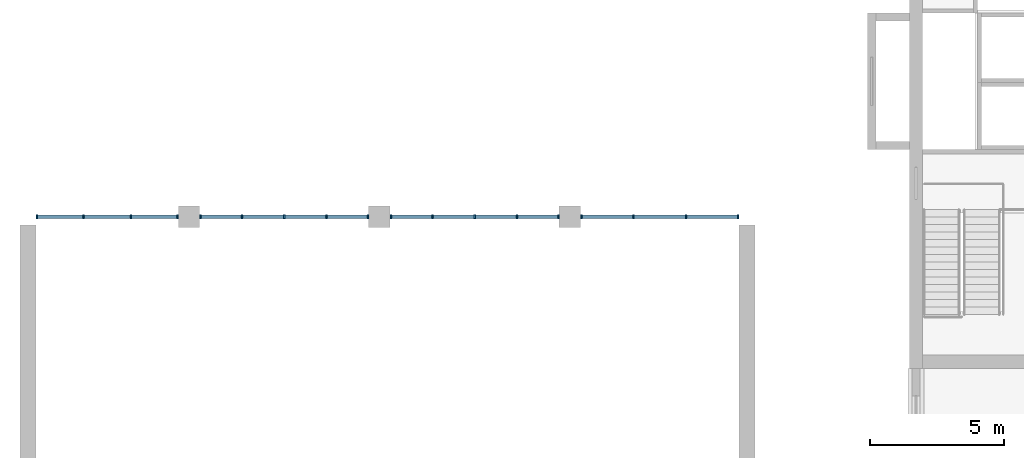
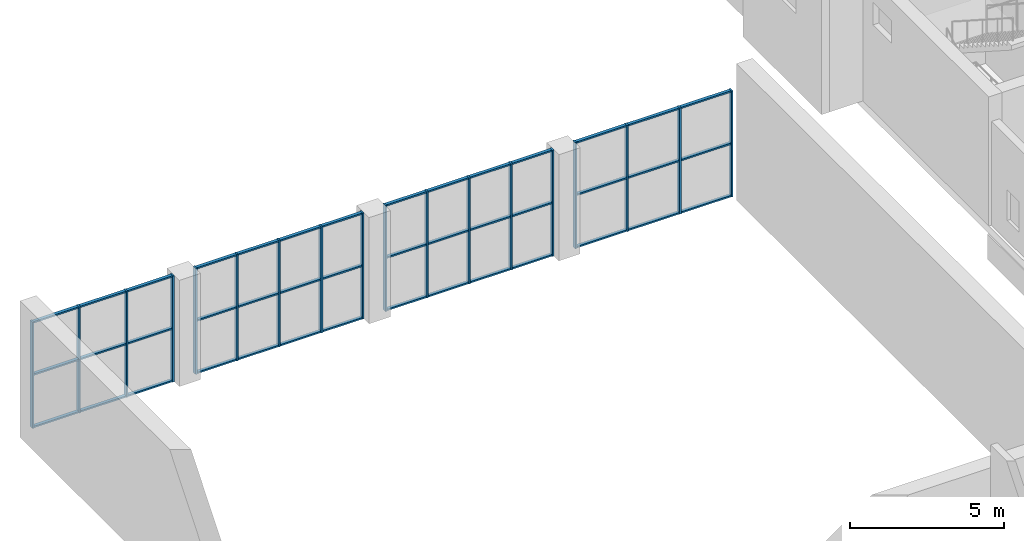
# One storey, part 4 of 33: 60 members, 4 elements without a shape of their own.
"""IFC4 building model written with IfcOpenShell, lengths in metres."""

from ifc_helpers import new_model, si_unit, direction, frame, origin, origin_2d, place, context, subcontext, project, spatial, rectangle, extrude, material, layer, layer_set, material_profile, profile_set, type_object, element, aggregate, save


model = new_model("IFC4")

# Units and contexts
model_context = context("Model", 3, precision=1e-05, world=origin(), true_north=direction((0.0, 1.0)))
body_context = subcontext(model_context, "Body", "Model", "MODEL_VIEW")
ifc_project = project(units=[si_unit("LENGTHUNIT", "METRE"), si_unit("AREAUNIT", "SQUARE_METRE"), si_unit("VOLUMEUNIT", "CUBIC_METRE"), si_unit("PLANEANGLEUNIT", "RADIAN"), si_unit("MASSUNIT", "GRAM", prefix="KILO")], contexts=[model_context])

# Site, building, storey
site_placement = place(None, origin())
site = spatial("IfcSite", under=ifc_project, at=site_placement, CompositionType="ELEMENT")
building_placement = place(site_placement, origin())
building = spatial("IfcBuilding", under=site, at=building_placement, Name="Basin Gate Institute", CompositionType="ELEMENT")
storey_placement = place(building_placement, frame((0.0, 0.0, 6.0)))
storey = spatial("IfcBuildingStorey", under=building, at=storey_placement, Name="L01", CompositionType="ELEMENT", Elevation=6.0)

# Curtain wall, members
ifc_material_1 = material(Name="Aluminium and glass curtain wall", Category="aluminium")
ifc_layer = layer(ifc_material_1, 0.14990234375)
ifc_layer_set = layer_set([ifc_layer], Name="Atrium curtain wall CW81")
curtain_wall_type = type_object("IfcCurtainWallType", Name="Atrium curtain wall CW81", PredefinedType="NOTDEFINED", material=ifc_layer_set)
curtain_wall_1_placement = place(storey_placement, origin())
curtain_wall_1 = element("IfcCurtainWall", 1, at=curtain_wall_1_placement, inside=storey, type_object=curtain_wall_type, material=ifc_layer_set, Name="Theatre clerestory glazing 1", PredefinedType="NOTDEFINED")
ifc_material_2 = material(Name="Aluminium mullion", Category="aluminium")
ifc_material_profile_1 = material_profile(ifc_material_2, rectangle(XDim=0.159912109375, YDim=0.06005859375, at=origin_2d()), Name="Atrium mullion MU81 160 x 60")
ifc_profile_set_1 = profile_set([ifc_material_profile_1], Name="Aluminium mullion")
member_type_1 = type_object("IfcMemberType", Name="Atrium mullion MU81", PredefinedType="MULLION", material=ifc_profile_set_1)
member_1_placement = place(storey_placement, frame((28.429931640625, 65.699951171875, 0.0), z_axis=(0.0, 0.0, 1.0), x_axis=(0.0, 1.0, 0.0)))
member_1 = element("IfcMember", 2, at=member_1_placement, type_object=member_type_1, material=ifc_profile_set_1, Name="CW81 mullion 1", PredefinedType="MULLION", context=body_context, shape_type="SweptSolid", body=[
    extrude(rectangle(XDim=0.159912109375, YDim=0.06005859375, at=origin_2d()), origin(), (0.0, 0.0, 1.0), 4.199951171875),
])
member_2_placement = place(storey_placement, frame((30.166748046875, 65.699951171875, 0.0), z_axis=(0.0, 0.0, 1.0), x_axis=(0.0, 1.0, 0.0)))
member_2 = element("IfcMember", 3, at=member_2_placement, type_object=member_type_1, material=ifc_profile_set_1, Name="CW81 mullion 2", PredefinedType="MULLION", context=body_context, shape_type="SweptSolid", body=[
    extrude(rectangle(XDim=0.159912109375, YDim=0.06005859375, at=origin_2d()), origin(), (0.0, 0.0, 1.0), 4.199951171875),
])
member_3_placement = place(storey_placement, frame((31.933349609375, 65.699951171875, 0.0), z_axis=(0.0, 0.0, 1.0), x_axis=(0.0, 1.0, 0.0)))
member_3 = element("IfcMember", 4, at=member_3_placement, type_object=member_type_1, material=ifc_profile_set_1, Name="CW81 mullion 3", PredefinedType="MULLION", context=body_context, shape_type="SweptSolid", body=[
    extrude(rectangle(XDim=0.159912109375, YDim=0.06005859375, at=origin_2d()), origin(), (0.0, 0.0, 1.0), 4.199951171875),
])
member_4_placement = place(storey_placement, frame((33.669921875, 65.699951171875, 0.0), z_axis=(0.0, 0.0, 1.0), x_axis=(0.0, 1.0, 0.0)))
member_4 = element("IfcMember", 5, at=member_4_placement, type_object=member_type_1, material=ifc_profile_set_1, Name="CW81 mullion 4", PredefinedType="MULLION", context=body_context, shape_type="SweptSolid", body=[
    extrude(rectangle(XDim=0.159912109375, YDim=0.06005859375, at=origin_2d()), origin(), (0.0, 0.0, 1.0), 4.199951171875),
])

curtain_wall_2_placement = place(storey_placement, origin())
curtain_wall_2 = element("IfcCurtainWall", 6, at=curtain_wall_2_placement, inside=storey, type_object=curtain_wall_type, material=ifc_layer_set, Name="Theatre clerestory glazing 2", PredefinedType="NOTDEFINED")
member_5_placement = place(storey_placement, frame((34.530029296875, 65.699951171875, 0.0), z_axis=(0.0, 0.0, 1.0), x_axis=(0.0, 1.0, 0.0)))
member_5 = element("IfcMember", 7, at=member_5_placement, type_object=member_type_1, material=ifc_profile_set_1, Name="CW81 mullion 1", PredefinedType="MULLION", context=body_context, shape_type="SweptSolid", body=[
    extrude(rectangle(XDim=0.159912109375, YDim=0.06005859375, at=origin_2d()), origin(), (0.0, 0.0, 1.0), 4.199951171875),
])
member_6_placement = place(storey_placement, frame((36.074951171875, 65.699951171875, 0.0), z_axis=(0.0, 0.0, 1.0), x_axis=(0.0, 1.0, 0.0)))
member_6 = element("IfcMember", 8, at=member_6_placement, type_object=member_type_1, material=ifc_profile_set_1, Name="CW81 mullion 2", PredefinedType="MULLION", context=body_context, shape_type="SweptSolid", body=[
    extrude(rectangle(XDim=0.159912109375, YDim=0.06005859375, at=origin_2d()), origin(), (0.0, 0.0, 1.0), 4.199951171875),
])
member_7_placement = place(storey_placement, frame((37.64990234375, 65.699951171875, 0.0), z_axis=(0.0, 0.0, 1.0), x_axis=(0.0, 1.0, 0.0)))
member_7 = element("IfcMember", 9, at=member_7_placement, type_object=member_type_1, material=ifc_profile_set_1, Name="CW81 mullion 3", PredefinedType="MULLION", context=body_context, shape_type="SweptSolid", body=[
    extrude(rectangle(XDim=0.159912109375, YDim=0.06005859375, at=origin_2d()), origin(), (0.0, 0.0, 1.0), 4.199951171875),
])
member_8_placement = place(storey_placement, frame((39.22509765625, 65.699951171875, 0.0), z_axis=(0.0, 0.0, 1.0), x_axis=(0.0, 1.0, 0.0)))
member_8 = element("IfcMember", 10, at=member_8_placement, type_object=member_type_1, material=ifc_profile_set_1, Name="CW81 mullion 4", PredefinedType="MULLION", context=body_context, shape_type="SweptSolid", body=[
    extrude(rectangle(XDim=0.159912109375, YDim=0.06005859375, at=origin_2d()), origin(), (0.0, 0.0, 1.0), 4.199951171875),
])
member_9_placement = place(storey_placement, frame((40.77001953125, 65.699951171875, 0.0), z_axis=(0.0, 0.0, 1.0), x_axis=(0.0, 1.0, 0.0)))
member_9 = element("IfcMember", 11, at=member_9_placement, type_object=member_type_1, material=ifc_profile_set_1, Name="CW81 mullion 5", PredefinedType="MULLION", context=body_context, shape_type="SweptSolid", body=[
    extrude(rectangle(XDim=0.159912109375, YDim=0.06005859375, at=origin_2d()), origin(), (0.0, 0.0, 1.0), 4.199951171875),
])

curtain_wall_3_placement = place(storey_placement, origin())
curtain_wall_3 = element("IfcCurtainWall", 12, at=curtain_wall_3_placement, inside=storey, type_object=curtain_wall_type, material=ifc_layer_set, Name="Theatre clerestory glazing 3", PredefinedType="NOTDEFINED")
member_10_placement = place(storey_placement, frame((41.6298828125, 65.699951171875, 0.0), z_axis=(0.0, 0.0, 1.0), x_axis=(0.0, 1.0, 0.0)))
member_10 = element("IfcMember", 13, at=member_10_placement, type_object=member_type_1, material=ifc_profile_set_1, Name="CW81 mullion 1", PredefinedType="MULLION", context=body_context, shape_type="SweptSolid", body=[
    extrude(rectangle(XDim=0.159912109375, YDim=0.06005859375, at=origin_2d()), origin(), (0.0, 0.0, 1.0), 4.199951171875),
])
member_11_placement = place(storey_placement, frame((43.175048828125, 65.699951171875, 0.0), z_axis=(0.0, 0.0, 1.0), x_axis=(0.0, 1.0, 0.0)))
member_11 = element("IfcMember", 14, at=member_11_placement, type_object=member_type_1, material=ifc_profile_set_1, Name="CW81 mullion 2", PredefinedType="MULLION", context=body_context, shape_type="SweptSolid", body=[
    extrude(rectangle(XDim=0.159912109375, YDim=0.06005859375, at=origin_2d()), origin(), (0.0, 0.0, 1.0), 4.199951171875),
])
member_12_placement = place(storey_placement, frame((44.75, 65.699951171875, 0.0), z_axis=(0.0, 0.0, 1.0), x_axis=(0.0, 1.0, 0.0)))
member_12 = element("IfcMember", 15, at=member_12_placement, type_object=member_type_1, material=ifc_profile_set_1, Name="CW81 mullion 3", PredefinedType="MULLION", context=body_context, shape_type="SweptSolid", body=[
    extrude(rectangle(XDim=0.159912109375, YDim=0.06005859375, at=origin_2d()), origin(), (0.0, 0.0, 1.0), 4.199951171875),
])
member_13_placement = place(storey_placement, frame((46.324951171875, 65.699951171875, 0.0), z_axis=(0.0, 0.0, 1.0), x_axis=(0.0, 1.0, 0.0)))
member_13 = element("IfcMember", 16, at=member_13_placement, type_object=member_type_1, material=ifc_profile_set_1, Name="CW81 mullion 4", PredefinedType="MULLION", context=body_context, shape_type="SweptSolid", body=[
    extrude(rectangle(XDim=0.159912109375, YDim=0.06005859375, at=origin_2d()), origin(), (0.0, 0.0, 1.0), 4.199951171875),
])
member_14_placement = place(storey_placement, frame((47.8701171875, 65.699951171875, 0.0), z_axis=(0.0, 0.0, 1.0), x_axis=(0.0, 1.0, 0.0)))
member_14 = element("IfcMember", 17, at=member_14_placement, type_object=member_type_1, material=ifc_profile_set_1, Name="CW81 mullion 5", PredefinedType="MULLION", context=body_context, shape_type="SweptSolid", body=[
    extrude(rectangle(XDim=0.159912109375, YDim=0.06005859375, at=origin_2d()), origin(), (0.0, 0.0, 1.0), 4.199951171875),
])

curtain_wall_4_placement = place(storey_placement, origin())
curtain_wall_4 = element("IfcCurtainWall", 18, at=curtain_wall_4_placement, inside=storey, type_object=curtain_wall_type, material=ifc_layer_set, Name="Theatre clerestory glazing 4", PredefinedType="NOTDEFINED")
member_15_placement = place(storey_placement, frame((48.72998046875, 65.699951171875, 0.0), z_axis=(0.0, 0.0, 1.0), x_axis=(0.0, 1.0, 0.0)))
member_15 = element("IfcMember", 19, at=member_15_placement, type_object=member_type_1, material=ifc_profile_set_1, Name="CW81 mullion 1", PredefinedType="MULLION", context=body_context, shape_type="SweptSolid", body=[
    extrude(rectangle(XDim=0.159912109375, YDim=0.06005859375, at=origin_2d()), origin(), (0.0, 0.0, 1.0), 4.199951171875),
])
member_16_placement = place(storey_placement, frame((50.666748046875, 65.699951171875, 0.0), z_axis=(0.0, 0.0, 1.0), x_axis=(0.0, 1.0, 0.0)))
member_16 = element("IfcMember", 20, at=member_16_placement, type_object=member_type_1, material=ifc_profile_set_1, Name="CW81 mullion 2", PredefinedType="MULLION", context=body_context, shape_type="SweptSolid", body=[
    extrude(rectangle(XDim=0.159912109375, YDim=0.06005859375, at=origin_2d()), origin(), (0.0, 0.0, 1.0), 4.199951171875),
])
member_17_placement = place(storey_placement, frame((52.63330078125, 65.699951171875, 0.0), z_axis=(0.0, 0.0, 1.0), x_axis=(0.0, 1.0, 0.0)))
member_17 = element("IfcMember", 21, at=member_17_placement, type_object=member_type_1, material=ifc_profile_set_1, Name="CW81 mullion 3", PredefinedType="MULLION", context=body_context, shape_type="SweptSolid", body=[
    extrude(rectangle(XDim=0.159912109375, YDim=0.06005859375, at=origin_2d()), origin(), (0.0, 0.0, 1.0), 4.199951171875),
])
member_18_placement = place(storey_placement, frame((54.570068359375, 65.699951171875, 0.0), z_axis=(0.0, 0.0, 1.0), x_axis=(0.0, 1.0, 0.0)))
member_18 = element("IfcMember", 22, at=member_18_placement, type_object=member_type_1, material=ifc_profile_set_1, Name="CW81 mullion 4", PredefinedType="MULLION", context=body_context, shape_type="SweptSolid", body=[
    extrude(rectangle(XDim=0.159912109375, YDim=0.06005859375, at=origin_2d()), origin(), (0.0, 0.0, 1.0), 4.199951171875),
])

# Member
ifc_material_3 = material(Name="Aluminium transom", Category="aluminium")
ifc_material_profile_2 = material_profile(ifc_material_3, rectangle(XDim=0.1201171875, YDim=0.06005859375, at=origin_2d()), Name="Atrium transom TR81 120 x 60")
ifc_profile_set_2 = profile_set([ifc_material_profile_2], Name="Aluminium transom")
member_type_2 = type_object("IfcMemberType", Name="Atrium transom TR81", PredefinedType="USERDEFINED", material=ifc_profile_set_2)
member_19_placement = place(storey_placement, frame((28.4599609375, 65.699951171875, 0.030029296875), z_axis=(1.0, 0.0, 0.0), x_axis=(0.0, 1.0, 0.0)))
member_19 = element("IfcMember", 23, at=member_19_placement, type_object=member_type_2, material=ifc_profile_set_2, Name="CW81 transom 1.1", ObjectType="TRANSOM", PredefinedType="USERDEFINED", context=body_context, shape_type="SweptSolid", body=[
    extrude(rectangle(XDim=0.1201171875, YDim=0.06005859375, at=origin_2d()), origin(), (0.0, 0.0, 1.0), 1.6767578125),
])

member_20_placement = place(storey_placement, frame((28.4599609375, 65.699951171875, 2.10009765625), z_axis=(1.0, 0.0, 0.0), x_axis=(0.0, 1.0, 0.0)))
member_20 = element("IfcMember", 24, at=member_20_placement, type_object=member_type_2, material=ifc_profile_set_2, Name="CW81 transom 1.2", ObjectType="TRANSOM", PredefinedType="USERDEFINED", context=body_context, shape_type="SweptSolid", body=[
    extrude(rectangle(XDim=0.1201171875, YDim=0.06005859375, at=origin_2d()), origin(), (0.0, 0.0, 1.0), 1.6767578125),
])

member_21_placement = place(storey_placement, frame((28.4599609375, 65.699951171875, 4.169921875), z_axis=(1.0, 0.0, 0.0), x_axis=(0.0, 1.0, 0.0)))
member_21 = element("IfcMember", 25, at=member_21_placement, type_object=member_type_2, material=ifc_profile_set_2, Name="CW81 transom 1.3", ObjectType="TRANSOM", PredefinedType="USERDEFINED", context=body_context, shape_type="SweptSolid", body=[
    extrude(rectangle(XDim=0.1201171875, YDim=0.06005859375, at=origin_2d()), origin(), (0.0, 0.0, 1.0), 1.6767578125),
])

member_22_placement = place(storey_placement, frame((30.19677734375, 65.699951171875, 0.030029296875), z_axis=(1.0, 0.0, 0.0), x_axis=(0.0, 1.0, 0.0)))
member_22 = element("IfcMember", 26, at=member_22_placement, type_object=member_type_2, material=ifc_profile_set_2, Name="CW81 transom 2.1", ObjectType="TRANSOM", PredefinedType="USERDEFINED", context=body_context, shape_type="SweptSolid", body=[
    extrude(rectangle(XDim=0.1201171875, YDim=0.06005859375, at=origin_2d()), origin(), (0.0, 0.0, 1.0), 1.70654296875),
])

member_23_placement = place(storey_placement, frame((30.19677734375, 65.699951171875, 2.10009765625), z_axis=(1.0, 0.0, 0.0), x_axis=(0.0, 1.0, 0.0)))
member_23 = element("IfcMember", 27, at=member_23_placement, type_object=member_type_2, material=ifc_profile_set_2, Name="CW81 transom 2.2", ObjectType="TRANSOM", PredefinedType="USERDEFINED", context=body_context, shape_type="SweptSolid", body=[
    extrude(rectangle(XDim=0.1201171875, YDim=0.06005859375, at=origin_2d()), origin(), (0.0, 0.0, 1.0), 1.70654296875),
])

member_24_placement = place(storey_placement, frame((30.19677734375, 65.699951171875, 4.169921875), z_axis=(1.0, 0.0, 0.0), x_axis=(0.0, 1.0, 0.0)))
member_24 = element("IfcMember", 28, at=member_24_placement, type_object=member_type_2, material=ifc_profile_set_2, Name="CW81 transom 2.3", ObjectType="TRANSOM", PredefinedType="USERDEFINED", context=body_context, shape_type="SweptSolid", body=[
    extrude(rectangle(XDim=0.1201171875, YDim=0.06005859375, at=origin_2d()), origin(), (0.0, 0.0, 1.0), 1.70654296875),
])

member_25_placement = place(storey_placement, frame((31.96337890625, 65.699951171875, 0.030029296875), z_axis=(1.0, 0.0, 0.0), x_axis=(0.0, 1.0, 0.0)))
member_25 = element("IfcMember", 29, at=member_25_placement, type_object=member_type_2, material=ifc_profile_set_2, Name="CW81 transom 3.1", ObjectType="TRANSOM", PredefinedType="USERDEFINED", context=body_context, shape_type="SweptSolid", body=[
    extrude(rectangle(XDim=0.1201171875, YDim=0.06005859375, at=origin_2d()), origin(), (0.0, 0.0, 1.0), 1.676513671875),
])

member_26_placement = place(storey_placement, frame((31.96337890625, 65.699951171875, 2.10009765625), z_axis=(1.0, 0.0, 0.0), x_axis=(0.0, 1.0, 0.0)))
member_26 = element("IfcMember", 30, at=member_26_placement, type_object=member_type_2, material=ifc_profile_set_2, Name="CW81 transom 3.2", ObjectType="TRANSOM", PredefinedType="USERDEFINED", context=body_context, shape_type="SweptSolid", body=[
    extrude(rectangle(XDim=0.1201171875, YDim=0.06005859375, at=origin_2d()), origin(), (0.0, 0.0, 1.0), 1.676513671875),
])

member_27_placement = place(storey_placement, frame((31.96337890625, 65.699951171875, 4.169921875), z_axis=(1.0, 0.0, 0.0), x_axis=(0.0, 1.0, 0.0)))
member_27 = element("IfcMember", 31, at=member_27_placement, type_object=member_type_2, material=ifc_profile_set_2, Name="CW81 transom 3.3", ObjectType="TRANSOM", PredefinedType="USERDEFINED", context=body_context, shape_type="SweptSolid", body=[
    extrude(rectangle(XDim=0.1201171875, YDim=0.06005859375, at=origin_2d()), origin(), (0.0, 0.0, 1.0), 1.676513671875),
])

aggregate(curtain_wall_1, [member_1, member_2, member_3, member_4, member_19, member_20, member_21, member_22, member_23, member_24, member_25, member_26, member_27])

member_28_placement = place(storey_placement, frame((34.56005859375, 65.699951171875, 0.030029296875), z_axis=(1.0, 0.0, 0.0), x_axis=(0.0, 1.0, 0.0)))
member_28 = element("IfcMember", 32, at=member_28_placement, type_object=member_type_2, material=ifc_profile_set_2, Name="CW81 transom 1.1", ObjectType="TRANSOM", PredefinedType="USERDEFINED", context=body_context, shape_type="SweptSolid", body=[
    extrude(rectangle(XDim=0.1201171875, YDim=0.06005859375, at=origin_2d()), origin(), (0.0, 0.0, 1.0), 1.48486328125),
])

member_29_placement = place(storey_placement, frame((34.56005859375, 65.699951171875, 2.10009765625), z_axis=(1.0, 0.0, 0.0), x_axis=(0.0, 1.0, 0.0)))
member_29 = element("IfcMember", 33, at=member_29_placement, type_object=member_type_2, material=ifc_profile_set_2, Name="CW81 transom 1.2", ObjectType="TRANSOM", PredefinedType="USERDEFINED", context=body_context, shape_type="SweptSolid", body=[
    extrude(rectangle(XDim=0.1201171875, YDim=0.06005859375, at=origin_2d()), origin(), (0.0, 0.0, 1.0), 1.48486328125),
])

member_30_placement = place(storey_placement, frame((34.56005859375, 65.699951171875, 4.169921875), z_axis=(1.0, 0.0, 0.0), x_axis=(0.0, 1.0, 0.0)))
member_30 = element("IfcMember", 34, at=member_30_placement, type_object=member_type_2, material=ifc_profile_set_2, Name="CW81 transom 1.3", ObjectType="TRANSOM", PredefinedType="USERDEFINED", context=body_context, shape_type="SweptSolid", body=[
    extrude(rectangle(XDim=0.1201171875, YDim=0.06005859375, at=origin_2d()), origin(), (0.0, 0.0, 1.0), 1.48486328125),
])

member_31_placement = place(storey_placement, frame((36.10498046875, 65.699951171875, 0.030029296875), z_axis=(1.0, 0.0, 0.0), x_axis=(0.0, 1.0, 0.0)))
member_31 = element("IfcMember", 35, at=member_31_placement, type_object=member_type_2, material=ifc_profile_set_2, Name="CW81 transom 2.1", ObjectType="TRANSOM", PredefinedType="USERDEFINED", context=body_context, shape_type="SweptSolid", body=[
    extrude(rectangle(XDim=0.1201171875, YDim=0.06005859375, at=origin_2d()), origin(), (0.0, 0.0, 1.0), 1.51513671875),
])

member_32_placement = place(storey_placement, frame((36.10498046875, 65.699951171875, 2.10009765625), z_axis=(1.0, 0.0, 0.0), x_axis=(0.0, 1.0, 0.0)))
member_32 = element("IfcMember", 36, at=member_32_placement, type_object=member_type_2, material=ifc_profile_set_2, Name="CW81 transom 2.2", ObjectType="TRANSOM", PredefinedType="USERDEFINED", context=body_context, shape_type="SweptSolid", body=[
    extrude(rectangle(XDim=0.1201171875, YDim=0.06005859375, at=origin_2d()), origin(), (0.0, 0.0, 1.0), 1.51513671875),
])

member_33_placement = place(storey_placement, frame((36.10498046875, 65.699951171875, 4.169921875), z_axis=(1.0, 0.0, 0.0), x_axis=(0.0, 1.0, 0.0)))
member_33 = element("IfcMember", 37, at=member_33_placement, type_object=member_type_2, material=ifc_profile_set_2, Name="CW81 transom 2.3", ObjectType="TRANSOM", PredefinedType="USERDEFINED", context=body_context, shape_type="SweptSolid", body=[
    extrude(rectangle(XDim=0.1201171875, YDim=0.06005859375, at=origin_2d()), origin(), (0.0, 0.0, 1.0), 1.51513671875),
])

member_34_placement = place(storey_placement, frame((37.679931640625, 65.699951171875, 0.030029296875), z_axis=(1.0, 0.0, 0.0), x_axis=(0.0, 1.0, 0.0)))
member_34 = element("IfcMember", 38, at=member_34_placement, type_object=member_type_2, material=ifc_profile_set_2, Name="CW81 transom 3.1", ObjectType="TRANSOM", PredefinedType="USERDEFINED", context=body_context, shape_type="SweptSolid", body=[
    extrude(rectangle(XDim=0.1201171875, YDim=0.06005859375, at=origin_2d()), origin(), (0.0, 0.0, 1.0), 1.51513671875),
])

member_35_placement = place(storey_placement, frame((37.679931640625, 65.699951171875, 2.10009765625), z_axis=(1.0, 0.0, 0.0), x_axis=(0.0, 1.0, 0.0)))
member_35 = element("IfcMember", 39, at=member_35_placement, type_object=member_type_2, material=ifc_profile_set_2, Name="CW81 transom 3.2", ObjectType="TRANSOM", PredefinedType="USERDEFINED", context=body_context, shape_type="SweptSolid", body=[
    extrude(rectangle(XDim=0.1201171875, YDim=0.06005859375, at=origin_2d()), origin(), (0.0, 0.0, 1.0), 1.51513671875),
])

member_36_placement = place(storey_placement, frame((37.679931640625, 65.699951171875, 4.169921875), z_axis=(1.0, 0.0, 0.0), x_axis=(0.0, 1.0, 0.0)))
member_36 = element("IfcMember", 40, at=member_36_placement, type_object=member_type_2, material=ifc_profile_set_2, Name="CW81 transom 3.3", ObjectType="TRANSOM", PredefinedType="USERDEFINED", context=body_context, shape_type="SweptSolid", body=[
    extrude(rectangle(XDim=0.1201171875, YDim=0.06005859375, at=origin_2d()), origin(), (0.0, 0.0, 1.0), 1.51513671875),
])

member_37_placement = place(storey_placement, frame((39.2548828125, 65.699951171875, 0.030029296875), z_axis=(1.0, 0.0, 0.0), x_axis=(0.0, 1.0, 0.0)))
member_37 = element("IfcMember", 41, at=member_37_placement, type_object=member_type_2, material=ifc_profile_set_2, Name="CW81 transom 4.1", ObjectType="TRANSOM", PredefinedType="USERDEFINED", context=body_context, shape_type="SweptSolid", body=[
    extrude(rectangle(XDim=0.1201171875, YDim=0.06005859375, at=origin_2d()), origin(), (0.0, 0.0, 1.0), 1.485107421875),
])

member_38_placement = place(storey_placement, frame((39.2548828125, 65.699951171875, 2.10009765625), z_axis=(1.0, 0.0, 0.0), x_axis=(0.0, 1.0, 0.0)))
member_38 = element("IfcMember", 42, at=member_38_placement, type_object=member_type_2, material=ifc_profile_set_2, Name="CW81 transom 4.2", ObjectType="TRANSOM", PredefinedType="USERDEFINED", context=body_context, shape_type="SweptSolid", body=[
    extrude(rectangle(XDim=0.1201171875, YDim=0.06005859375, at=origin_2d()), origin(), (0.0, 0.0, 1.0), 1.485107421875),
])

member_39_placement = place(storey_placement, frame((39.2548828125, 65.699951171875, 4.169921875), z_axis=(1.0, 0.0, 0.0), x_axis=(0.0, 1.0, 0.0)))
member_39 = element("IfcMember", 43, at=member_39_placement, type_object=member_type_2, material=ifc_profile_set_2, Name="CW81 transom 4.3", ObjectType="TRANSOM", PredefinedType="USERDEFINED", context=body_context, shape_type="SweptSolid", body=[
    extrude(rectangle(XDim=0.1201171875, YDim=0.06005859375, at=origin_2d()), origin(), (0.0, 0.0, 1.0), 1.485107421875),
])

aggregate(curtain_wall_2, [member_5, member_6, member_7, member_8, member_9, member_28, member_29, member_30, member_31, member_32, member_33, member_34, member_35, member_36, member_37, member_38, member_39])

member_40_placement = place(storey_placement, frame((41.659912109375, 65.699951171875, 0.030029296875), z_axis=(1.0, 0.0, 0.0), x_axis=(0.0, 1.0, 0.0)))
member_40 = element("IfcMember", 44, at=member_40_placement, type_object=member_type_2, material=ifc_profile_set_2, Name="CW81 transom 1.1", ObjectType="TRANSOM", PredefinedType="USERDEFINED", context=body_context, shape_type="SweptSolid", body=[
    extrude(rectangle(XDim=0.1201171875, YDim=0.06005859375, at=origin_2d()), origin(), (0.0, 0.0, 1.0), 1.485107421875),
])

member_41_placement = place(storey_placement, frame((41.659912109375, 65.699951171875, 2.10009765625), z_axis=(1.0, 0.0, 0.0), x_axis=(0.0, 1.0, 0.0)))
member_41 = element("IfcMember", 45, at=member_41_placement, type_object=member_type_2, material=ifc_profile_set_2, Name="CW81 transom 1.2", ObjectType="TRANSOM", PredefinedType="USERDEFINED", context=body_context, shape_type="SweptSolid", body=[
    extrude(rectangle(XDim=0.1201171875, YDim=0.06005859375, at=origin_2d()), origin(), (0.0, 0.0, 1.0), 1.485107421875),
])

member_42_placement = place(storey_placement, frame((41.659912109375, 65.699951171875, 4.169921875), z_axis=(1.0, 0.0, 0.0), x_axis=(0.0, 1.0, 0.0)))
member_42 = element("IfcMember", 46, at=member_42_placement, type_object=member_type_2, material=ifc_profile_set_2, Name="CW81 transom 1.3", ObjectType="TRANSOM", PredefinedType="USERDEFINED", context=body_context, shape_type="SweptSolid", body=[
    extrude(rectangle(XDim=0.1201171875, YDim=0.06005859375, at=origin_2d()), origin(), (0.0, 0.0, 1.0), 1.485107421875),
])

member_43_placement = place(storey_placement, frame((43.205078125, 65.699951171875, 0.030029296875), z_axis=(1.0, 0.0, 0.0), x_axis=(0.0, 1.0, 0.0)))
member_43 = element("IfcMember", 47, at=member_43_placement, type_object=member_type_2, material=ifc_profile_set_2, Name="CW81 transom 2.1", ObjectType="TRANSOM", PredefinedType="USERDEFINED", context=body_context, shape_type="SweptSolid", body=[
    extrude(rectangle(XDim=0.1201171875, YDim=0.06005859375, at=origin_2d()), origin(), (0.0, 0.0, 1.0), 1.514892578125),
])

member_44_placement = place(storey_placement, frame((43.205078125, 65.699951171875, 2.10009765625), z_axis=(1.0, 0.0, 0.0), x_axis=(0.0, 1.0, 0.0)))
member_44 = element("IfcMember", 48, at=member_44_placement, type_object=member_type_2, material=ifc_profile_set_2, Name="CW81 transom 2.2", ObjectType="TRANSOM", PredefinedType="USERDEFINED", context=body_context, shape_type="SweptSolid", body=[
    extrude(rectangle(XDim=0.1201171875, YDim=0.06005859375, at=origin_2d()), origin(), (0.0, 0.0, 1.0), 1.514892578125),
])

member_45_placement = place(storey_placement, frame((43.205078125, 65.699951171875, 4.169921875), z_axis=(1.0, 0.0, 0.0), x_axis=(0.0, 1.0, 0.0)))
member_45 = element("IfcMember", 49, at=member_45_placement, type_object=member_type_2, material=ifc_profile_set_2, Name="CW81 transom 2.3", ObjectType="TRANSOM", PredefinedType="USERDEFINED", context=body_context, shape_type="SweptSolid", body=[
    extrude(rectangle(XDim=0.1201171875, YDim=0.06005859375, at=origin_2d()), origin(), (0.0, 0.0, 1.0), 1.514892578125),
])

member_46_placement = place(storey_placement, frame((44.780029296875, 65.699951171875, 0.030029296875), z_axis=(1.0, 0.0, 0.0), x_axis=(0.0, 1.0, 0.0)))
member_46 = element("IfcMember", 50, at=member_46_placement, type_object=member_type_2, material=ifc_profile_set_2, Name="CW81 transom 3.1", ObjectType="TRANSOM", PredefinedType="USERDEFINED", context=body_context, shape_type="SweptSolid", body=[
    extrude(rectangle(XDim=0.1201171875, YDim=0.06005859375, at=origin_2d()), origin(), (0.0, 0.0, 1.0), 1.514892578125),
])

member_47_placement = place(storey_placement, frame((44.780029296875, 65.699951171875, 2.10009765625), z_axis=(1.0, 0.0, 0.0), x_axis=(0.0, 1.0, 0.0)))
member_47 = element("IfcMember", 51, at=member_47_placement, type_object=member_type_2, material=ifc_profile_set_2, Name="CW81 transom 3.2", ObjectType="TRANSOM", PredefinedType="USERDEFINED", context=body_context, shape_type="SweptSolid", body=[
    extrude(rectangle(XDim=0.1201171875, YDim=0.06005859375, at=origin_2d()), origin(), (0.0, 0.0, 1.0), 1.514892578125),
])

member_48_placement = place(storey_placement, frame((44.780029296875, 65.699951171875, 4.169921875), z_axis=(1.0, 0.0, 0.0), x_axis=(0.0, 1.0, 0.0)))
member_48 = element("IfcMember", 52, at=member_48_placement, type_object=member_type_2, material=ifc_profile_set_2, Name="CW81 transom 3.3", ObjectType="TRANSOM", PredefinedType="USERDEFINED", context=body_context, shape_type="SweptSolid", body=[
    extrude(rectangle(XDim=0.1201171875, YDim=0.06005859375, at=origin_2d()), origin(), (0.0, 0.0, 1.0), 1.514892578125),
])

member_49_placement = place(storey_placement, frame((46.35498046875, 65.699951171875, 0.030029296875), z_axis=(1.0, 0.0, 0.0), x_axis=(0.0, 1.0, 0.0)))
member_49 = element("IfcMember", 53, at=member_49_placement, type_object=member_type_2, material=ifc_profile_set_2, Name="CW81 transom 4.1", ObjectType="TRANSOM", PredefinedType="USERDEFINED", context=body_context, shape_type="SweptSolid", body=[
    extrude(rectangle(XDim=0.1201171875, YDim=0.06005859375, at=origin_2d()), origin(), (0.0, 0.0, 1.0), 1.485107421875),
])

member_50_placement = place(storey_placement, frame((46.35498046875, 65.699951171875, 2.10009765625), z_axis=(1.0, 0.0, 0.0), x_axis=(0.0, 1.0, 0.0)))
member_50 = element("IfcMember", 54, at=member_50_placement, type_object=member_type_2, material=ifc_profile_set_2, Name="CW81 transom 4.2", ObjectType="TRANSOM", PredefinedType="USERDEFINED", context=body_context, shape_type="SweptSolid", body=[
    extrude(rectangle(XDim=0.1201171875, YDim=0.06005859375, at=origin_2d()), origin(), (0.0, 0.0, 1.0), 1.485107421875),
])

member_51_placement = place(storey_placement, frame((46.35498046875, 65.699951171875, 4.169921875), z_axis=(1.0, 0.0, 0.0), x_axis=(0.0, 1.0, 0.0)))
member_51 = element("IfcMember", 55, at=member_51_placement, type_object=member_type_2, material=ifc_profile_set_2, Name="CW81 transom 4.3", ObjectType="TRANSOM", PredefinedType="USERDEFINED", context=body_context, shape_type="SweptSolid", body=[
    extrude(rectangle(XDim=0.1201171875, YDim=0.06005859375, at=origin_2d()), origin(), (0.0, 0.0, 1.0), 1.485107421875),
])

aggregate(curtain_wall_3, [member_10, member_11, member_12, member_13, member_14, member_40, member_41, member_42, member_43, member_44, member_45, member_46, member_47, member_48, member_49, member_50, member_51])

member_52_placement = place(storey_placement, frame((48.760009765625, 65.699951171875, 0.030029296875), z_axis=(1.0, 0.0, 0.0), x_axis=(0.0, 1.0, 0.0)))
member_52 = element("IfcMember", 56, at=member_52_placement, type_object=member_type_2, material=ifc_profile_set_2, Name="CW81 transom 1.1", ObjectType="TRANSOM", PredefinedType="USERDEFINED", context=body_context, shape_type="SweptSolid", body=[
    extrude(rectangle(XDim=0.1201171875, YDim=0.06005859375, at=origin_2d()), origin(), (0.0, 0.0, 1.0), 1.876708984375),
])

member_53_placement = place(storey_placement, frame((48.760009765625, 65.699951171875, 2.10009765625), z_axis=(1.0, 0.0, 0.0), x_axis=(0.0, 1.0, 0.0)))
member_53 = element("IfcMember", 57, at=member_53_placement, type_object=member_type_2, material=ifc_profile_set_2, Name="CW81 transom 1.2", ObjectType="TRANSOM", PredefinedType="USERDEFINED", context=body_context, shape_type="SweptSolid", body=[
    extrude(rectangle(XDim=0.1201171875, YDim=0.06005859375, at=origin_2d()), origin(), (0.0, 0.0, 1.0), 1.876708984375),
])

member_54_placement = place(storey_placement, frame((48.760009765625, 65.699951171875, 4.169921875), z_axis=(1.0, 0.0, 0.0), x_axis=(0.0, 1.0, 0.0)))
member_54 = element("IfcMember", 58, at=member_54_placement, type_object=member_type_2, material=ifc_profile_set_2, Name="CW81 transom 1.3", ObjectType="TRANSOM", PredefinedType="USERDEFINED", context=body_context, shape_type="SweptSolid", body=[
    extrude(rectangle(XDim=0.1201171875, YDim=0.06005859375, at=origin_2d()), origin(), (0.0, 0.0, 1.0), 1.876708984375),
])

member_55_placement = place(storey_placement, frame((50.69677734375, 65.699951171875, 0.030029296875), z_axis=(1.0, 0.0, 0.0), x_axis=(0.0, 1.0, 0.0)))
member_55 = element("IfcMember", 59, at=member_55_placement, type_object=member_type_2, material=ifc_profile_set_2, Name="CW81 transom 2.1", ObjectType="TRANSOM", PredefinedType="USERDEFINED", context=body_context, shape_type="SweptSolid", body=[
    extrude(rectangle(XDim=0.1201171875, YDim=0.06005859375, at=origin_2d()), origin(), (0.0, 0.0, 1.0), 1.906494140625),
])

member_56_placement = place(storey_placement, frame((50.69677734375, 65.699951171875, 2.10009765625), z_axis=(1.0, 0.0, 0.0), x_axis=(0.0, 1.0, 0.0)))
member_56 = element("IfcMember", 60, at=member_56_placement, type_object=member_type_2, material=ifc_profile_set_2, Name="CW81 transom 2.2", ObjectType="TRANSOM", PredefinedType="USERDEFINED", context=body_context, shape_type="SweptSolid", body=[
    extrude(rectangle(XDim=0.1201171875, YDim=0.06005859375, at=origin_2d()), origin(), (0.0, 0.0, 1.0), 1.906494140625),
])

member_57_placement = place(storey_placement, frame((50.69677734375, 65.699951171875, 4.169921875), z_axis=(1.0, 0.0, 0.0), x_axis=(0.0, 1.0, 0.0)))
member_57 = element("IfcMember", 61, at=member_57_placement, type_object=member_type_2, material=ifc_profile_set_2, Name="CW81 transom 2.3", ObjectType="TRANSOM", PredefinedType="USERDEFINED", context=body_context, shape_type="SweptSolid", body=[
    extrude(rectangle(XDim=0.1201171875, YDim=0.06005859375, at=origin_2d()), origin(), (0.0, 0.0, 1.0), 1.906494140625),
])

member_58_placement = place(storey_placement, frame((52.663330078125, 65.699951171875, 0.030029296875), z_axis=(1.0, 0.0, 0.0), x_axis=(0.0, 1.0, 0.0)))
member_58 = element("IfcMember", 62, at=member_58_placement, type_object=member_type_2, material=ifc_profile_set_2, Name="CW81 transom 3.1", ObjectType="TRANSOM", PredefinedType="USERDEFINED", context=body_context, shape_type="SweptSolid", body=[
    extrude(rectangle(XDim=0.1201171875, YDim=0.06005859375, at=origin_2d()), origin(), (0.0, 0.0, 1.0), 1.876708984375),
])

member_59_placement = place(storey_placement, frame((52.663330078125, 65.699951171875, 2.10009765625), z_axis=(1.0, 0.0, 0.0), x_axis=(0.0, 1.0, 0.0)))
member_59 = element("IfcMember", 63, at=member_59_placement, type_object=member_type_2, material=ifc_profile_set_2, Name="CW81 transom 3.2", ObjectType="TRANSOM", PredefinedType="USERDEFINED", context=body_context, shape_type="SweptSolid", body=[
    extrude(rectangle(XDim=0.1201171875, YDim=0.06005859375, at=origin_2d()), origin(), (0.0, 0.0, 1.0), 1.876708984375),
])

member_60_placement = place(storey_placement, frame((52.663330078125, 65.699951171875, 4.169921875), z_axis=(1.0, 0.0, 0.0), x_axis=(0.0, 1.0, 0.0)))
member_60 = element("IfcMember", 64, at=member_60_placement, type_object=member_type_2, material=ifc_profile_set_2, Name="CW81 transom 3.3", ObjectType="TRANSOM", PredefinedType="USERDEFINED", context=body_context, shape_type="SweptSolid", body=[
    extrude(rectangle(XDim=0.1201171875, YDim=0.06005859375, at=origin_2d()), origin(), (0.0, 0.0, 1.0), 1.876708984375),
])

aggregate(curtain_wall_4, [member_15, member_16, member_17, member_18, member_52, member_53, member_54, member_55, member_56, member_57, member_58, member_59, member_60])

save(model, "model.ifc")
